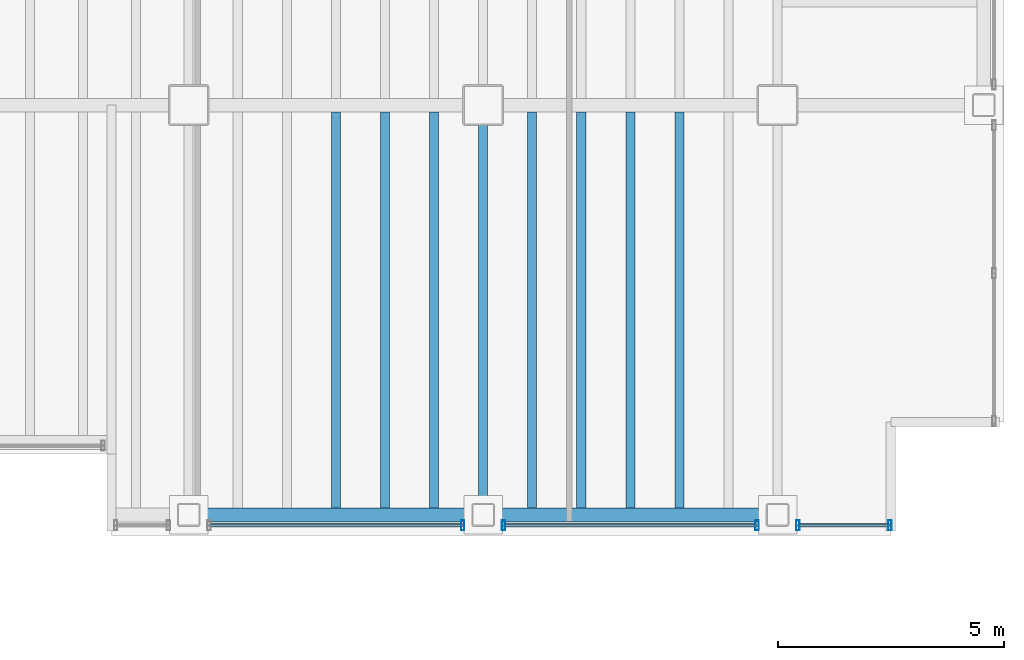
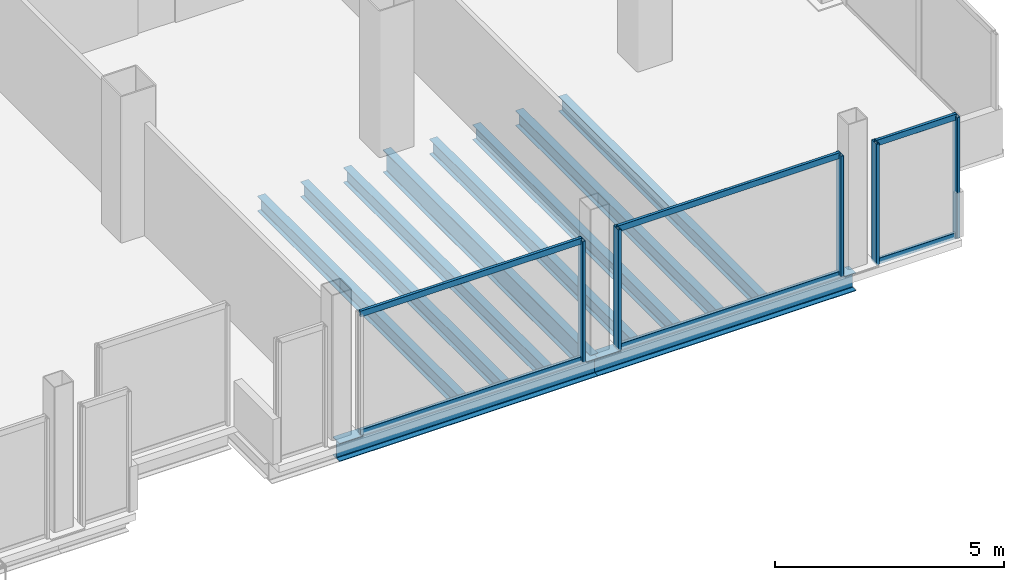
# One storey, part 12 of 20: 11 members, 10 beams, 3 elements without a shape of their own.
"""IFC4 building model written with IfcOpenShell, lengths in metres."""

from ifc_helpers import new_model, si_unit, direction, frame, origin, origin_2d, place, context, subcontext, project, spatial, hollow_rectangle, i_section, extrude, material, material_profile, profile_set, type_object, element, aggregate, save


model = new_model("IFC4")

# Units and contexts
model_context = context("Model", 3, precision=1e-05, world=origin(), true_north=direction((0.0, 1.0)))
body_context = subcontext(model_context, "Body", "Model", "MODEL_VIEW")
ifc_project = project(units=[si_unit("LENGTHUNIT", "METRE"), si_unit("AREAUNIT", "SQUARE_METRE"), si_unit("VOLUMEUNIT", "CUBIC_METRE"), si_unit("PLANEANGLEUNIT", "RADIAN"), si_unit("MASSUNIT", "GRAM", prefix="KILO")], contexts=[model_context])

# Site, building, storey
site_placement = place(None, origin())
site = spatial("IfcSite", under=ifc_project, at=site_placement, CompositionType="ELEMENT")
building_placement = place(site_placement, origin())
building = spatial("IfcBuilding", under=site, at=building_placement, Name="Noeulbin Bourse Tower", CompositionType="ELEMENT")
storey_placement = place(building_placement, frame((0.0, 0.0, 126.60009765625)))
storey = spatial("IfcBuildingStorey", under=building, at=storey_placement, Name="L31", CompositionType="ELEMENT", Elevation=126.60009765625)

# Beams
ifc_material_1 = material(Name="Steel S355", Category="steel")
ifc_material_profile_1 = material_profile(ifc_material_1, i_section(OverallWidth=0.199951171875, OverallDepth=0.60009765625, WebThickness=0.010986328125, FlangeThickness=0.01708984375, FilletRadius=0.02197265625, at=origin_2d()), Name="H-600x200x11x17", Category="LoadBearing")
ifc_profile_set_1 = profile_set([ifc_material_profile_1], Name="Steel S355")
beam_type_1 = type_object("IfcBeamType", Name="BM-GRD-600", PredefinedType="USERDEFINED", material=ifc_profile_set_1)
beam_placement = place(storey_placement, frame((37.5, 10.949951171875, -0.47998046875), z_axis=(0.0, 1.0, 0.0), x_axis=(-1.0, 0.0, 0.0)))
element("IfcBeam", 1, at=beam_placement, inside=storey, type_object=beam_type_1, Name="Tower Primary Girder NS L31-4.1", ObjectType="GIRDER", PredefinedType="USERDEFINED", context=body_context, shape_type="SweptSolid", body=[
    extrude(i_section(OverallWidth=0.199951171875, OverallDepth=0.60009765625, WebThickness=0.010986328125, FlangeThickness=0.01708984375, FilletRadius=0.02197265625, at=origin_2d()), origin(), (0.0, 0.0, 1.0), 9.050048828125),
])
ifc_material_profile_2 = material_profile(ifc_material_1, i_section(OverallWidth=0.199951171875, OverallDepth=0.39990234375, WebThickness=0.008056640625, FlangeThickness=0.012939453125, FilletRadius=0.01611328125, at=origin_2d()), Name="H-400x200x8x13", Category="LoadBearing")
ifc_profile_set_2 = profile_set([ifc_material_profile_2], Name="Steel S355")
beam_type_2 = type_object("IfcBeamType", Name="BM-SEC-400", PredefinedType="BEAM", material=ifc_profile_set_2)
for number, where, z_axis, x_axis, name in (
    (2, (34.25, 11.10009765625, -0.380126953125), (0.0, 1.0, 0.0), (-1.0, 0.0, 0.0), "Tower Composite Joist L31-31"),
    (3, (35.333251953125, 11.10009765625, -0.380126953125), (0.0, 1.0, 0.0), (-1.0, 0.0, 0.0), "Tower Composite Joist L31-33"),
    (4, (36.416748046875, 11.10009765625, -0.380126953125), (0.0, 1.0, 0.0), (-1.0, 0.0, 0.0), "Tower Composite Joist L31-35"),
    (5, (38.583251953125, 11.10009765625, -0.380126953125), (0.0, 1.0, 0.0), (-1.0, 0.0, 0.0), "Tower Composite Joist L31-37"),
    (6, (39.666748046875, 11.10009765625, -0.380126953125), (0.0, 1.0, 0.0), (-1.0, 0.0, 0.0), "Tower Composite Joist L31-39"),
    (7, (40.75, 11.10009765625, -0.380126953125), (0.0, 1.0, 0.0), (-1.0, 0.0, 0.0), "Tower Composite Joist L31-41"),
    (8, (41.833251953125, 11.10009765625, -0.380126953125), (0.0, 1.0, 0.0), (-1.0, 0.0, 0.0), "Tower Composite Joist L31-43"),
):
    element("IfcBeam", number, at=place(storey_placement, frame(where, z_axis=z_axis, x_axis=x_axis)), inside=storey, type_object=beam_type_2, Name=name, PredefinedType="BEAM", context=body_context, shape_type="SweptSolid", body=[
        extrude(i_section(OverallWidth=0.199951171875, OverallDepth=0.39990234375, WebThickness=0.008056640625, FlangeThickness=0.012939453125, FilletRadius=0.01611328125, at=origin_2d()), origin(), (0.0, 0.0, 1.0), 8.75),
    ])
ifc_material_profile_3 = material_profile(ifc_material_1, i_section(OverallWidth=0.300048828125, OverallDepth=0.488037109375, WebThickness=0.010986328125, FlangeThickness=0.01806640625, FilletRadius=0.02197265625, at=origin_2d()), Name="H-488x300x11x18", Category="LoadBearing")
ifc_profile_set_3 = profile_set([ifc_material_profile_3], Name="Steel S355")
beam_type_3 = type_object("IfcBeamType", Name="BM-SPN-488", PredefinedType="SPANDREL", material=ifc_profile_set_3)
for number, where, z_axis, x_axis, name in (
    (9, (31.0, 10.949951171875, -0.424072265625), (1.0, 0.0, 0.0), (0.0, 1.0, 0.0), "South Spandrel L31-3"),
    (10, (37.5, 10.949951171875, -0.424072265625), (1.0, 0.0, 0.0), (0.0, 1.0, 0.0), "South Spandrel L31-4"),
):
    element("IfcBeam", number, at=place(storey_placement, frame(where, z_axis=z_axis, x_axis=x_axis)), inside=storey, type_object=beam_type_3, Name=name, PredefinedType="SPANDREL", context=body_context, shape_type="SweptSolid", body=[
        extrude(i_section(OverallWidth=0.300048828125, OverallDepth=0.488037109375, WebThickness=0.010986328125, FlangeThickness=0.01806640625, FilletRadius=0.02197265625, at=origin_2d()), origin(), (0.0, 0.0, 1.0), 6.5),
    ])

# Curtain wall, member
ifc_material_2 = material(Name="Dark Tinted Triple Glazing", Category="glass")
curtain_wall_type = type_object("IfcCurtainWallType", Name="CW-SYS-3", PredefinedType="NOTDEFINED", material=ifc_material_2)
curtain_wall_1_placement = place(storey_placement, origin())
curtain_wall_1 = element("IfcCurtainWall", 11, at=curtain_wall_1_placement, inside=storey, type_object=curtain_wall_type, Name="Unitised Curtain Wall CW-L31-S3-S2", PredefinedType="NOTDEFINED")
ifc_material_3 = material(Name="Anodised Aluminium 6063-T6", Category="aluminium")
ifc_material_profile_4 = material_profile(ifc_material_3, hollow_rectangle(XDim=0.074951171875, YDim=0.219970703125, WallThickness=0.0048828125, InnerFilletRadius=0.00244140625, OuterFilletRadius=0.0048828125, at=origin_2d()), Name="ALU-MULL-75x220x5", Category="LoadBearing")
ifc_profile_set_4 = profile_set([ifc_material_profile_4], Name="Anodised Aluminium 6063-T6")
member_type_1 = type_object("IfcMemberType", Name="CW-SYS-3-MUL", PredefinedType="MULLION", material=ifc_profile_set_4)
member_1_placement = place(storey_placement, frame((37.050048828125, 10.719970703125, -0.02001953125), z_axis=(0.0, 0.0, 1.0), x_axis=(1.0, 0.0, 0.0)))
member_1 = element("IfcMember", 12, at=member_1_placement, type_object=member_type_1, Name="Curtain Wall Mullion CW-L31-S3-S2-M01", PredefinedType="MULLION", context=body_context, shape_type="SweptSolid", body=[
    extrude(hollow_rectangle(XDim=0.074951171875, YDim=0.219970703125, WallThickness=0.0048828125, InnerFilletRadius=0.00244140625, OuterFilletRadius=0.0048828125, at=origin_2d()), origin(), (0.0, 0.0, 1.0), 3.219970703125),
])

# Curtain wall, members
curtain_wall_2_placement = place(storey_placement, origin())
curtain_wall_2 = element("IfcCurtainWall", 13, at=curtain_wall_2_placement, inside=storey, type_object=curtain_wall_type, Name="Unitised Curtain Wall CW-L31-S3-S3", PredefinedType="NOTDEFINED")
member_2_placement = place(storey_placement, frame((37.949951171875, 10.719970703125, -0.02001953125), z_axis=(0.0, 0.0, 1.0), x_axis=(1.0, 0.0, 0.0)))
member_2 = element("IfcMember", 14, at=member_2_placement, type_object=member_type_1, Name="Curtain Wall Mullion CW-L31-S3-S3-M00", PredefinedType="MULLION", context=body_context, shape_type="SweptSolid", body=[
    extrude(hollow_rectangle(XDim=0.074951171875, YDim=0.219970703125, WallThickness=0.0048828125, InnerFilletRadius=0.00244140625, OuterFilletRadius=0.0048828125, at=origin_2d()), origin(), (0.0, 0.0, 1.0), 3.219970703125),
])
member_3_placement = place(storey_placement, frame((43.550048828125, 10.719970703125, -0.02001953125), z_axis=(0.0, 0.0, 1.0), x_axis=(1.0, 0.0, 0.0)))
member_3 = element("IfcMember", 15, at=member_3_placement, type_object=member_type_1, Name="Curtain Wall Mullion CW-L31-S3-S3-M01", PredefinedType="MULLION", context=body_context, shape_type="SweptSolid", body=[
    extrude(hollow_rectangle(XDim=0.074951171875, YDim=0.219970703125, WallThickness=0.0048828125, InnerFilletRadius=0.00244140625, OuterFilletRadius=0.0048828125, at=origin_2d()), origin(), (0.0, 0.0, 1.0), 3.219970703125),
])

curtain_wall_3_placement = place(storey_placement, origin())
curtain_wall_3 = element("IfcCurtainWall", 16, at=curtain_wall_3_placement, inside=storey, type_object=curtain_wall_type, Name="Unitised Curtain Wall CW-L31-S3-S4", PredefinedType="NOTDEFINED")
member_4_placement = place(storey_placement, frame((44.449951171875, 10.719970703125, -0.02001953125), z_axis=(0.0, 0.0, 1.0), x_axis=(1.0, 0.0, 0.0)))
member_4 = element("IfcMember", 17, at=member_4_placement, type_object=member_type_1, Name="Curtain Wall Mullion CW-L31-S3-S4-M00", PredefinedType="MULLION", context=body_context, shape_type="SweptSolid", body=[
    extrude(hollow_rectangle(XDim=0.074951171875, YDim=0.219970703125, WallThickness=0.0048828125, InnerFilletRadius=0.00244140625, OuterFilletRadius=0.0048828125, at=origin_2d()), origin(), (0.0, 0.0, 1.0), 3.219970703125),
])
member_5_placement = place(storey_placement, frame((46.47998046875, 10.719970703125, -0.02001953125), z_axis=(0.0, 0.0, 1.0), x_axis=(1.0, 0.0, 0.0)))
member_5 = element("IfcMember", 18, at=member_5_placement, type_object=member_type_1, Name="Curtain Wall Mullion CW-L31-S3-S4-M01", PredefinedType="MULLION", context=body_context, shape_type="SweptSolid", body=[
    extrude(hollow_rectangle(XDim=0.074951171875, YDim=0.219970703125, WallThickness=0.0048828125, InnerFilletRadius=0.00244140625, OuterFilletRadius=0.0048828125, at=origin_2d()), origin(), (0.0, 0.0, 1.0), 3.219970703125),
])

# Member
ifc_material_profile_5 = material_profile(ifc_material_3, hollow_rectangle(XDim=0.074951171875, YDim=0.159912109375, WallThickness=0.0048828125, InnerFilletRadius=0.00244140625, OuterFilletRadius=0.0048828125, at=origin_2d()), Name="ALU-TRAN-75x160x5", Category="LoadBearing")
ifc_profile_set_5 = profile_set([ifc_material_profile_5], Name="Anodised Aluminium 6063-T6")
member_type_2 = type_object("IfcMemberType", Name="CW-SYS-3-TRN", PredefinedType="USERDEFINED", material=ifc_profile_set_5)
member_6_placement = place(storey_placement, frame((31.4599609375, 10.719970703125, 0.010009765625), z_axis=(1.0, 0.0, 0.0), x_axis=(0.0, 1.0, 0.0)))
member_6 = element("IfcMember", 19, at=member_6_placement, type_object=member_type_2, Name="Curtain Wall Transom CW-L31-S3-S2-T00", ObjectType="TRANSOM", PredefinedType="USERDEFINED", context=body_context, shape_type="SweptSolid", body=[
    extrude(hollow_rectangle(XDim=0.074951171875, YDim=0.159912109375, WallThickness=0.0048828125, InnerFilletRadius=0.00244140625, OuterFilletRadius=0.0048828125, at=origin_2d()), origin(), (0.0, 0.0, 1.0), 5.580078125),
])

member_7_placement = place(storey_placement, frame((31.4599609375, 10.719970703125, 3.169921875), z_axis=(1.0, 0.0, 0.0), x_axis=(0.0, 1.0, 0.0)))
member_7 = element("IfcMember", 20, at=member_7_placement, type_object=member_type_2, Name="Curtain Wall Transom CW-L31-S3-S2-T01", ObjectType="TRANSOM", PredefinedType="USERDEFINED", context=body_context, shape_type="SweptSolid", body=[
    extrude(hollow_rectangle(XDim=0.074951171875, YDim=0.159912109375, WallThickness=0.0048828125, InnerFilletRadius=0.00244140625, OuterFilletRadius=0.0048828125, at=origin_2d()), origin(), (0.0, 0.0, 1.0), 5.580078125),
])

aggregate(curtain_wall_1, [member_1, member_6, member_7])

member_8_placement = place(storey_placement, frame((37.9599609375, 10.719970703125, 0.010009765625), z_axis=(1.0, 0.0, 0.0), x_axis=(0.0, 1.0, 0.0)))
member_8 = element("IfcMember", 21, at=member_8_placement, type_object=member_type_2, Name="Curtain Wall Transom CW-L31-S3-S3-T00", ObjectType="TRANSOM", PredefinedType="USERDEFINED", context=body_context, shape_type="SweptSolid", body=[
    extrude(hollow_rectangle(XDim=0.074951171875, YDim=0.159912109375, WallThickness=0.0048828125, InnerFilletRadius=0.00244140625, OuterFilletRadius=0.0048828125, at=origin_2d()), origin(), (0.0, 0.0, 1.0), 5.580078125),
])

member_9_placement = place(storey_placement, frame((37.9599609375, 10.719970703125, 3.169921875), z_axis=(1.0, 0.0, 0.0), x_axis=(0.0, 1.0, 0.0)))
member_9 = element("IfcMember", 22, at=member_9_placement, type_object=member_type_2, Name="Curtain Wall Transom CW-L31-S3-S3-T01", ObjectType="TRANSOM", PredefinedType="USERDEFINED", context=body_context, shape_type="SweptSolid", body=[
    extrude(hollow_rectangle(XDim=0.074951171875, YDim=0.159912109375, WallThickness=0.0048828125, InnerFilletRadius=0.00244140625, OuterFilletRadius=0.0048828125, at=origin_2d()), origin(), (0.0, 0.0, 1.0), 5.580078125),
])

aggregate(curtain_wall_2, [member_2, member_3, member_8, member_9])

member_10_placement = place(storey_placement, frame((44.4599609375, 10.719970703125, 0.010009765625), z_axis=(1.0, 0.0, 0.0), x_axis=(0.0, 1.0, 0.0)))
member_10 = element("IfcMember", 23, at=member_10_placement, type_object=member_type_2, Name="Curtain Wall Transom CW-L31-S3-S4-T00", ObjectType="TRANSOM", PredefinedType="USERDEFINED", context=body_context, shape_type="SweptSolid", body=[
    extrude(hollow_rectangle(XDim=0.074951171875, YDim=0.159912109375, WallThickness=0.0048828125, InnerFilletRadius=0.00244140625, OuterFilletRadius=0.0048828125, at=origin_2d()), origin(), (0.0, 0.0, 1.0), 2.010009765625),
])

member_11_placement = place(storey_placement, frame((44.4599609375, 10.719970703125, 3.169921875), z_axis=(1.0, 0.0, 0.0), x_axis=(0.0, 1.0, 0.0)))
member_11 = element("IfcMember", 24, at=member_11_placement, type_object=member_type_2, Name="Curtain Wall Transom CW-L31-S3-S4-T01", ObjectType="TRANSOM", PredefinedType="USERDEFINED", context=body_context, shape_type="SweptSolid", body=[
    extrude(hollow_rectangle(XDim=0.074951171875, YDim=0.159912109375, WallThickness=0.0048828125, InnerFilletRadius=0.00244140625, OuterFilletRadius=0.0048828125, at=origin_2d()), origin(), (0.0, 0.0, 1.0), 2.010009765625),
])

aggregate(curtain_wall_3, [member_4, member_5, member_10, member_11])

save(model, "model.ifc")
